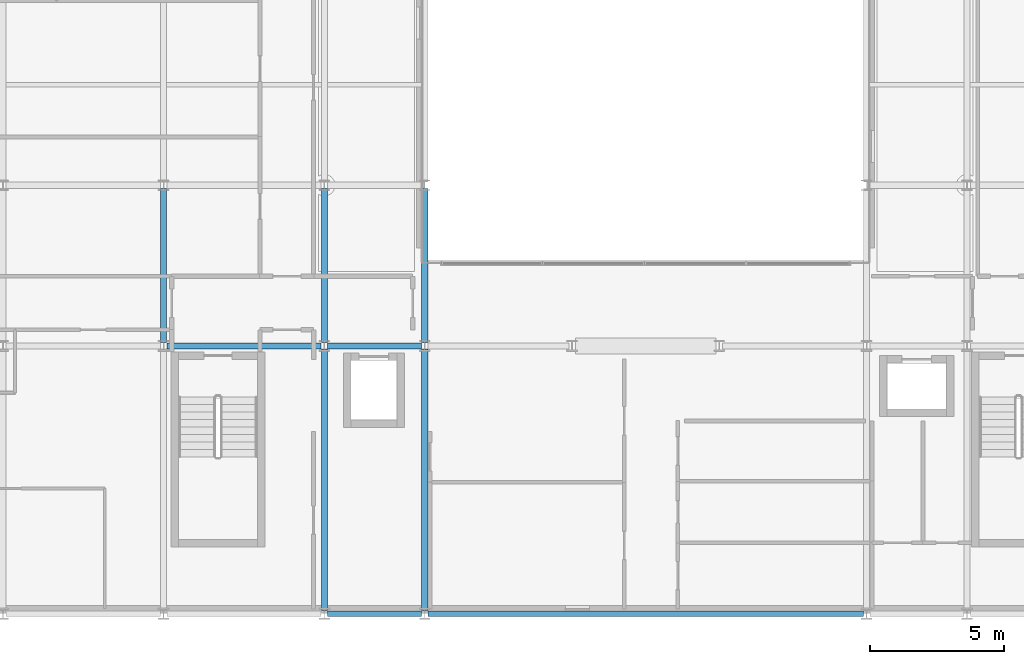
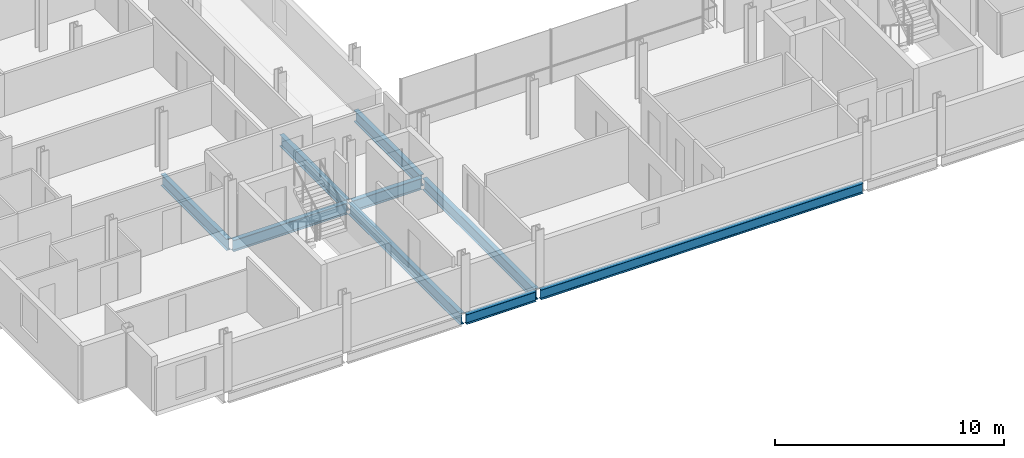
# One storey, part 5 of 39: 9 beams.
"""IFC4 building model written with IfcOpenShell, lengths in metres."""

from ifc_helpers import new_model, si_unit, direction, frame, origin, origin_2d, place, context, subcontext, project, spatial, i_section, extrude, material, material_profile, profile_set, type_object, element, save


model = new_model("IFC4")

# Units and contexts
model_context = context("Model", 3, precision=1e-05, world=origin(), true_north=direction((0.0, 1.0)))
body_context = subcontext(model_context, "Body", "Model", "MODEL_VIEW")
ifc_project = project(units=[si_unit("LENGTHUNIT", "METRE"), si_unit("AREAUNIT", "SQUARE_METRE"), si_unit("VOLUMEUNIT", "CUBIC_METRE"), si_unit("PLANEANGLEUNIT", "RADIAN"), si_unit("MASSUNIT", "GRAM", prefix="KILO")], contexts=[model_context])

# Site, building, storey
site_placement = place(None, origin())
site = spatial("IfcSite", under=ifc_project, at=site_placement, CompositionType="ELEMENT")
building_placement = place(site_placement, origin())
building = spatial("IfcBuilding", under=site, at=building_placement, Name="Brevholm Reach", CompositionType="ELEMENT")
storey_placement = place(building_placement, frame((0.0, 0.0, 154.199951171875)))
storey = spatial("IfcBuildingStorey", under=building, at=storey_placement, Name="L46", CompositionType="ELEMENT", Elevation=154.199951171875)

# Beams
ifc_material_1 = material(Name="Structural Steel S355J2", Category="steel")
ifc_material_profile_1 = material_profile(ifc_material_1, i_section(OverallWidth=0.209228515625, OverallDepth=0.533203125, WebThickness=0.010009765625, FlangeThickness=0.015625, FilletRadius=0.0126953125, at=origin_2d()), Name="UKB 533x210x92")
ifc_profile_set_1 = profile_set([ifc_material_profile_1], Name="Structural Steel S355J2")
beam_type_1 = type_object("IfcBeamType", Name="BM-SP533", PredefinedType="SPANDREL", material=ifc_profile_set_1)
beam_1_placement = place(storey_placement, frame((18.1201171875, 0.0, -0.486572265625), z_axis=(1.0, 0.0, 0.0), x_axis=(0.0, 1.0, 0.0)))
element("IfcBeam", 1, at=beam_1_placement, inside=storey, type_object=beam_type_1, Name="L46 SP-02 Framing Beam", PredefinedType="SPANDREL", context=body_context, shape_type="SweptSolid", body=[
    extrude(i_section(OverallWidth=0.209228515625, OverallDepth=0.533203125, WebThickness=0.010009765625, FlangeThickness=0.015625, FilletRadius=0.0126953125, at=origin_2d()), origin(), (0.0, 0.0, 1.0), 3.509765625),
])
beam_2_placement = place(storey_placement, frame((21.8701171875, 0.0, -0.486572265625), z_axis=(1.0, 0.0, 0.0), x_axis=(0.0, 1.0, 0.0)))
element("IfcBeam", 2, at=beam_2_placement, inside=storey, type_object=beam_type_1, Name="L46 SP-02 Framing Beam", PredefinedType="SPANDREL", context=body_context, shape_type="SweptSolid", body=[
    extrude(i_section(OverallWidth=0.209228515625, OverallDepth=0.533203125, WebThickness=0.010009765625, FlangeThickness=0.015625, FilletRadius=0.0126953125, at=origin_2d()), origin(), (0.0, 0.0, 1.0), 16.259765625),
])
ifc_material_2 = material(Name="Structural Steel S355J2", Category="steel")
ifc_material_profile_2 = material_profile(ifc_material_2, i_section(OverallWidth=0.22900390625, OverallDepth=0.6123046875, WebThickness=0.011962890625, FlangeThickness=0.01953125, FilletRadius=0.0126953125, at=origin_2d()), Name="UKB 610x229x125")
ifc_profile_set_2 = profile_set([ifc_material_profile_2], Name="Structural Steel S355J2")
beam_type_2 = type_object("IfcBeamType", Name="BM-SP610", PredefinedType="SPANDREL", material=ifc_profile_set_2)
beam_3_placement = place(storey_placement, frame((12.1201171875, 10.0, -0.526123046875), z_axis=(1.0, 0.0, 0.0), x_axis=(0.0, 1.0, 0.0)))
element("IfcBeam", 3, at=beam_3_placement, inside=storey, type_object=beam_type_2, Name="L46 SP-01 Framing Beam", PredefinedType="SPANDREL", context=body_context, shape_type="SweptSolid", body=[
    extrude(i_section(OverallWidth=0.22900390625, OverallDepth=0.6123046875, WebThickness=0.011962890625, FlangeThickness=0.01953125, FilletRadius=0.0126953125, at=origin_2d()), origin(), (0.0, 0.0, 1.0), 5.759765625),
])
beam_4_placement = place(storey_placement, frame((18.1201171875, 10.0, -0.526123046875), z_axis=(1.0, 0.0, 0.0), x_axis=(0.0, 1.0, 0.0)))
element("IfcBeam", 4, at=beam_4_placement, inside=storey, type_object=beam_type_2, Name="L46 SP-01 Framing Beam", PredefinedType="SPANDREL", context=body_context, shape_type="SweptSolid", body=[
    extrude(i_section(OverallWidth=0.22900390625, OverallDepth=0.6123046875, WebThickness=0.011962890625, FlangeThickness=0.01953125, FilletRadius=0.0126953125, at=origin_2d()), origin(), (0.0, 0.0, 1.0), 3.509765625),
])
beam_5_placement = place(storey_placement, frame((12.0, 10.1201171875, -0.526123046875), z_axis=(0.0, 1.0, 0.0), x_axis=(-1.0, 0.0, 0.0)))
element("IfcBeam", 5, at=beam_5_placement, inside=storey, type_object=beam_type_2, Name="L46 SP-01 Framing Beam", PredefinedType="SPANDREL", context=body_context, shape_type="SweptSolid", body=[
    extrude(i_section(OverallWidth=0.22900390625, OverallDepth=0.6123046875, WebThickness=0.011962890625, FlangeThickness=0.01953125, FilletRadius=0.0126953125, at=origin_2d()), origin(), (0.0, 0.0, 1.0), 5.759765625),
])
beam_6_placement = place(storey_placement, frame((18.0, 0.1201171875, -0.526123046875), z_axis=(0.0, 1.0, 0.0), x_axis=(-1.0, 0.0, 0.0)))
element("IfcBeam", 6, at=beam_6_placement, inside=storey, type_object=beam_type_2, Name="L46 SP-01 Framing Beam", PredefinedType="SPANDREL", context=body_context, shape_type="SweptSolid", body=[
    extrude(i_section(OverallWidth=0.22900390625, OverallDepth=0.6123046875, WebThickness=0.011962890625, FlangeThickness=0.01953125, FilletRadius=0.0126953125, at=origin_2d()), origin(), (0.0, 0.0, 1.0), 9.759765625),
])
beam_7_placement = place(storey_placement, frame((18.0, 10.1201171875, -0.526123046875), z_axis=(0.0, 1.0, 0.0), x_axis=(-1.0, 0.0, 0.0)))
element("IfcBeam", 7, at=beam_7_placement, inside=storey, type_object=beam_type_2, Name="L46 SP-01 Framing Beam", PredefinedType="SPANDREL", context=body_context, shape_type="SweptSolid", body=[
    extrude(i_section(OverallWidth=0.22900390625, OverallDepth=0.6123046875, WebThickness=0.011962890625, FlangeThickness=0.01953125, FilletRadius=0.0126953125, at=origin_2d()), origin(), (0.0, 0.0, 1.0), 5.759765625),
])
beam_8_placement = place(storey_placement, frame((21.75, 0.1201171875, -0.526123046875), z_axis=(0.0, 1.0, 0.0), x_axis=(-1.0, 0.0, 0.0)))
element("IfcBeam", 8, at=beam_8_placement, inside=storey, type_object=beam_type_2, Name="L46 SP-01 Framing Beam", PredefinedType="SPANDREL", context=body_context, shape_type="SweptSolid", body=[
    extrude(i_section(OverallWidth=0.22900390625, OverallDepth=0.6123046875, WebThickness=0.011962890625, FlangeThickness=0.01953125, FilletRadius=0.0126953125, at=origin_2d()), origin(), (0.0, 0.0, 1.0), 9.759765625),
])
beam_9_placement = place(storey_placement, frame((21.75, 10.1201171875, -0.526123046875), z_axis=(0.0, 1.0, 0.0), x_axis=(-1.0, 0.0, 0.0)))
element("IfcBeam", 9, at=beam_9_placement, inside=storey, type_object=beam_type_2, Name="L46 SP-01 Framing Beam", PredefinedType="SPANDREL", context=body_context, shape_type="SweptSolid", body=[
    extrude(i_section(OverallWidth=0.22900390625, OverallDepth=0.6123046875, WebThickness=0.011962890625, FlangeThickness=0.01953125, FilletRadius=0.0126953125, at=origin_2d()), origin(), (0.0, 0.0, 1.0), 5.759765625),
])

save(model, "model.ifc")
